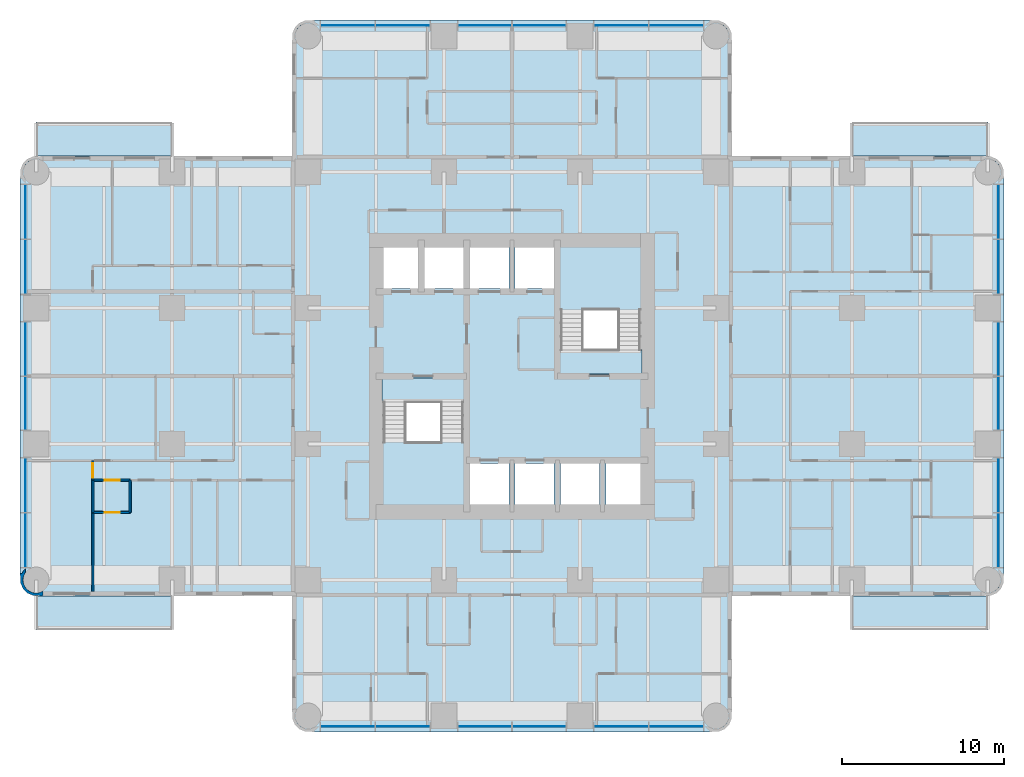
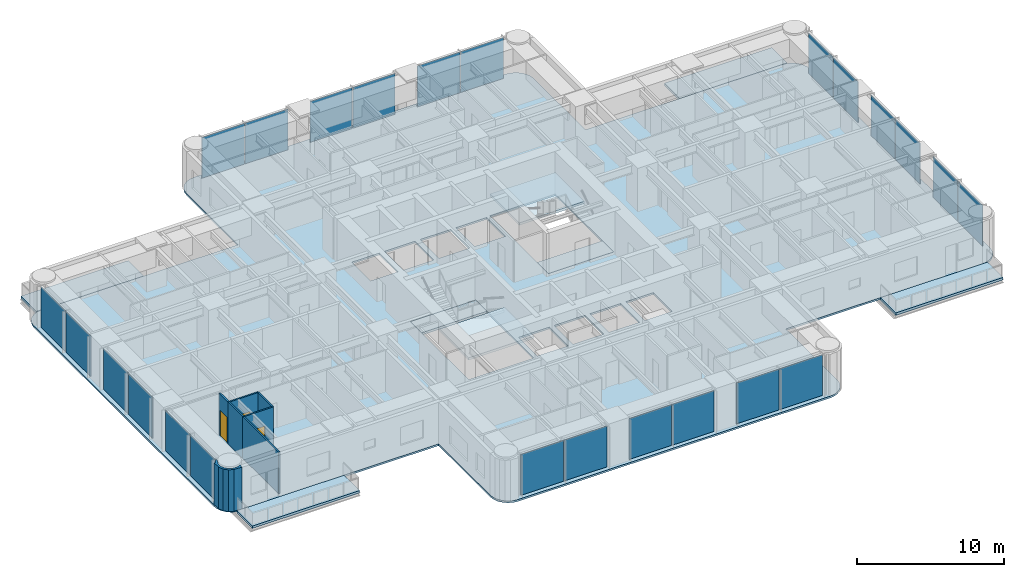
# One storey, part 5 of 15: 24 plates, 9 slabs, 7 walls, 3 doors, 3 openings, 6 elements without a shape of their own.
"""IFC4 building model written with IfcOpenShell, lengths in metres."""

from ifc_helpers import new_model, si_unit, direction, frame, frame_2d, origin, origin_2d, place, context, subcontext, project, spatial, polyline, rectangle, outline, extrude, material, layer, layer_set, type_object, element, fill, aggregate, save


model = new_model("IFC4")

# Units and contexts
model_context = context("Model", 3, precision=1e-05, world=origin(), true_north=direction((0.0, 1.0)))
body_context = subcontext(model_context, "Body", "Model", "MODEL_VIEW")
ifc_project = project(units=[si_unit("LENGTHUNIT", "METRE"), si_unit("AREAUNIT", "SQUARE_METRE"), si_unit("VOLUMEUNIT", "CUBIC_METRE"), si_unit("PLANEANGLEUNIT", "RADIAN"), si_unit("MASSUNIT", "GRAM", prefix="KILO")], contexts=[model_context])

# Site, building, storey
site_placement = place(None, origin())
site = spatial("IfcSite", under=ifc_project, at=site_placement, CompositionType="ELEMENT")
building_placement = place(site_placement, origin())
building = spatial("IfcBuilding", under=site, at=building_placement, Name="Torre Alcanfor", CompositionType="ELEMENT")
storey_placement = place(building_placement, frame((0.0, 0.0, 116.10009765625)))
storey = spatial("IfcBuildingStorey", under=building, at=storey_placement, Name="L29", CompositionType="ELEMENT", Elevation=116.10009765625)

# Slabs
ifc_material_1 = material(Name="Concrete f'c 35 MPa", Category="concrete")
ifc_layer_1 = layer(ifc_material_1, 0.199951171875)
ifc_layer_set_1 = layer_set([ifc_layer_1], Name="Balcony slab 200")
slab_type_1 = type_object("IfcSlabType", Name="Balcony slab 200", PredefinedType="FLOOR", material=ifc_layer_set_1)
slab_1_placement = place(storey_placement, frame((0.0, 0.0, -0.2001953125)))
element("IfcSlab", 1, at=slab_1_placement, inside=storey, type_object=slab_type_1, Name="Balcony L29-E1", PredefinedType="FLOOR", context=body_context, shape_type="SweptSolid", body=[
    extrude(outline(polyline([(50.39990234375, 43.0), (58.800048828125, 43.0), (58.800048828125, 45.10009765625), (50.39990234375, 45.10009765625), (50.39990234375, 43.0)])), origin(), (0.0, 0.0, 1.0), 0.2001953125),
])
slab_2_placement = place(storey_placement, frame((0.0, 0.0, -0.2001953125)))
element("IfcSlab", 2, at=slab_2_placement, inside=storey, type_object=slab_type_1, Name="Balcony L29-E2", PredefinedType="FLOOR", context=body_context, shape_type="SweptSolid", body=[
    extrude(outline(polyline([(50.39990234375, 13.699951171875), (58.800048828125, 13.699951171875), (58.800048828125, 15.800048828125), (50.39990234375, 15.800048828125), (50.39990234375, 13.699951171875)])), origin(), (0.0, 0.0, 1.0), 0.2001953125),
])
slab_3_placement = place(storey_placement, frame((0.0, 0.0, -0.2001953125)))
element("IfcSlab", 3, at=slab_3_placement, inside=storey, type_object=slab_type_1, Name="Balcony L29-W1", PredefinedType="FLOOR", context=body_context, shape_type="SweptSolid", body=[
    extrude(outline(polyline([(8.39990234375, 15.800048828125), (0.0, 15.800048828125), (0.0, 13.699951171875), (8.39990234375, 13.699951171875), (8.39990234375, 15.800048828125)])), origin(), (0.0, 0.0, 1.0), 0.2001953125),
])
slab_4_placement = place(storey_placement, frame((0.0, 0.0, -0.2001953125)))
element("IfcSlab", 4, at=slab_4_placement, inside=storey, type_object=slab_type_1, Name="Balcony L29-W2", PredefinedType="FLOOR", context=body_context, shape_type="SweptSolid", body=[
    extrude(outline(polyline([(8.39990234375, 45.10009765625), (0.0, 45.10009765625), (0.0, 43.0), (8.39990234375, 43.0), (8.39990234375, 45.10009765625)])), origin(), (0.0, 0.0, 1.0), 0.2001953125),
])

# Curtain wall, plates
ifc_material_2 = material(Name="Aluminium and glass", Category="aluminium")
curtain_wall_type = type_object("IfcCurtainWallType", Name="CW-A unitised apartment glazing with vertical FIN", PredefinedType="NOTDEFINED", material=ifc_material_2)
curtain_wall_1_placement = place(storey_placement, origin())
curtain_wall_1 = element("IfcCurtainWall", 5, at=curtain_wall_1_placement, inside=storey, type_object=curtain_wall_type, Name="Curtain wall CW-A L29 2", PredefinedType="NOTDEFINED")
ifc_material_3 = material(Name="Glass", Category="glass")
ifc_layer_2 = layer(ifc_material_3, 0.028076171875)
ifc_layer_set_2 = layer_set([ifc_layer_2], Name="CW-A clear double glazed unit")
plate_type = type_object("IfcPlateType", Name="CW-A clear double glazed unit", PredefinedType="CURTAIN_PANEL", material=ifc_layer_set_2)
plate_1_placement = place(storey_placement, frame((-0.64990234375, 39.541259765625, 0.0), z_axis=(0.0, 0.0, 1.0), x_axis=(0.0, -1.0, 0.0)))
plate_1 = element("IfcPlate", 6, at=plate_1_placement, type_object=plate_type, Name="CW-A panel 1.1.1", PredefinedType="CURTAIN_PANEL", context=body_context, shape_type="SweptSolid", body=[
    extrude(rectangle(XDim=3.337646484375, YDim=0.028076171875, at=origin_2d()), origin(), (0.0, 0.0, 1.0), 3.385009765625),
])
plate_2_placement = place(storey_placement, frame((-0.64990234375, 36.138671875, 0.0), z_axis=(0.0, 0.0, 1.0), x_axis=(0.0, -1.0, 0.0)))
plate_2 = element("IfcPlate", 7, at=plate_2_placement, type_object=plate_type, Name="CW-A panel 1.2.1", PredefinedType="CURTAIN_PANEL", context=body_context, shape_type="SweptSolid", body=[
    extrude(rectangle(XDim=3.337646484375, YDim=0.028076171875, at=origin_2d()), origin(), (0.0, 0.0, 1.0), 3.385009765625),
])
plate_3_placement = place(storey_placement, frame((-0.64990234375, 31.081298828125, 0.0), z_axis=(0.0, 0.0, 1.0), x_axis=(0.0, -1.0, 0.0)))
plate_3 = element("IfcPlate", 8, at=plate_3_placement, type_object=plate_type, Name="CW-A panel 2.1.1", PredefinedType="CURTAIN_PANEL", context=body_context, shape_type="SweptSolid", body=[
    extrude(rectangle(XDim=3.297607421875, YDim=0.028076171875, at=origin_2d()), origin(), (0.0, 0.0, 1.0), 3.385009765625),
])
plate_4_placement = place(storey_placement, frame((-0.64990234375, 27.71875, 0.0), z_axis=(0.0, 0.0, 1.0), x_axis=(0.0, -1.0, 0.0)))
plate_4 = element("IfcPlate", 9, at=plate_4_placement, type_object=plate_type, Name="CW-A panel 2.2.1", PredefinedType="CURTAIN_PANEL", context=body_context, shape_type="SweptSolid", body=[
    extrude(rectangle(XDim=3.297607421875, YDim=0.028076171875, at=origin_2d()), origin(), (0.0, 0.0, 1.0), 3.385009765625),
])
plate_5_placement = place(storey_placement, frame((-0.64990234375, 22.6611328125, 0.0), z_axis=(0.0, 0.0, 1.0), x_axis=(0.0, -1.0, 0.0)))
plate_5 = element("IfcPlate", 10, at=plate_5_placement, type_object=plate_type, Name="CW-A panel 3.1.1", PredefinedType="CURTAIN_PANEL", context=body_context, shape_type="SweptSolid", body=[
    extrude(rectangle(XDim=3.337646484375, YDim=0.028076171875, at=origin_2d()), origin(), (0.0, 0.0, 1.0), 3.385009765625),
])
plate_6_placement = place(storey_placement, frame((-0.64990234375, 19.2587890625, 0.0), z_axis=(0.0, 0.0, 1.0), x_axis=(0.0, -1.0, 0.0)))
plate_6 = element("IfcPlate", 11, at=plate_6_placement, type_object=plate_type, Name="CW-A panel 3.2.1", PredefinedType="CURTAIN_PANEL", context=body_context, shape_type="SweptSolid", body=[
    extrude(rectangle(XDim=3.337646484375, YDim=0.028076171875, at=origin_2d()), origin(), (0.0, 0.0, 1.0), 3.385009765625),
])
aggregate(curtain_wall_1, [plate_1, plate_2, plate_3, plate_4, plate_5, plate_6])

curtain_wall_2_placement = place(storey_placement, origin())
curtain_wall_2 = element("IfcCurtainWall", 12, at=curtain_wall_2_placement, inside=storey, type_object=curtain_wall_type, Name="Curtain wall CW-A L29 5", PredefinedType="NOTDEFINED")
plate_7_placement = place(storey_placement, frame((19.2587890625, 7.75, 0.0), z_axis=(0.0, 0.0, 1.0), x_axis=(1.0, 0.0, 0.0)))
plate_7 = element("IfcPlate", 13, at=plate_7_placement, type_object=plate_type, Name="CW-A panel 1.1.1", PredefinedType="CURTAIN_PANEL", context=body_context, shape_type="SweptSolid", body=[
    extrude(rectangle(XDim=3.337646484375, YDim=0.028076171875, at=origin_2d()), origin(), (0.0, 0.0, 1.0), 3.385009765625),
])
plate_8_placement = place(storey_placement, frame((22.6611328125, 7.75, 0.0), z_axis=(0.0, 0.0, 1.0), x_axis=(1.0, 0.0, 0.0)))
plate_8 = element("IfcPlate", 14, at=plate_8_placement, type_object=plate_type, Name="CW-A panel 1.2.1", PredefinedType="CURTAIN_PANEL", context=body_context, shape_type="SweptSolid", body=[
    extrude(rectangle(XDim=3.337646484375, YDim=0.028076171875, at=origin_2d()), origin(), (0.0, 0.0, 1.0), 3.385009765625),
])
plate_9_placement = place(storey_placement, frame((27.71875, 7.75, 0.0), z_axis=(0.0, 0.0, 1.0), x_axis=(1.0, 0.0, 0.0)))
plate_9 = element("IfcPlate", 15, at=plate_9_placement, type_object=plate_type, Name="CW-A panel 2.1.1", PredefinedType="CURTAIN_PANEL", context=body_context, shape_type="SweptSolid", body=[
    extrude(rectangle(XDim=3.297607421875, YDim=0.028076171875, at=origin_2d()), origin(), (0.0, 0.0, 1.0), 3.385009765625),
])
plate_10_placement = place(storey_placement, frame((31.081298828125, 7.75, 0.0), z_axis=(0.0, 0.0, 1.0), x_axis=(1.0, 0.0, 0.0)))
plate_10 = element("IfcPlate", 16, at=plate_10_placement, type_object=plate_type, Name="CW-A panel 2.2.1", PredefinedType="CURTAIN_PANEL", context=body_context, shape_type="SweptSolid", body=[
    extrude(rectangle(XDim=3.297607421875, YDim=0.028076171875, at=origin_2d()), origin(), (0.0, 0.0, 1.0), 3.385009765625),
])
plate_11_placement = place(storey_placement, frame((36.138671875, 7.75, 0.0), z_axis=(0.0, 0.0, 1.0), x_axis=(1.0, 0.0, 0.0)))
plate_11 = element("IfcPlate", 17, at=plate_11_placement, type_object=plate_type, Name="CW-A panel 3.1.1", PredefinedType="CURTAIN_PANEL", context=body_context, shape_type="SweptSolid", body=[
    extrude(rectangle(XDim=3.337646484375, YDim=0.028076171875, at=origin_2d()), origin(), (0.0, 0.0, 1.0), 3.385009765625),
])
plate_12_placement = place(storey_placement, frame((39.541259765625, 7.75, 0.0), z_axis=(0.0, 0.0, 1.0), x_axis=(1.0, 0.0, 0.0)))
plate_12 = element("IfcPlate", 18, at=plate_12_placement, type_object=plate_type, Name="CW-A panel 3.2.1", PredefinedType="CURTAIN_PANEL", context=body_context, shape_type="SweptSolid", body=[
    extrude(rectangle(XDim=3.337646484375, YDim=0.028076171875, at=origin_2d()), origin(), (0.0, 0.0, 1.0), 3.385009765625),
])
aggregate(curtain_wall_2, [plate_7, plate_8, plate_9, plate_10, plate_11, plate_12])

curtain_wall_3_placement = place(storey_placement, origin())
curtain_wall_3 = element("IfcCurtainWall", 19, at=curtain_wall_3_placement, inside=storey, type_object=curtain_wall_type, Name="Curtain wall CW-A L29 8", PredefinedType="NOTDEFINED")
plate_13_placement = place(storey_placement, frame((59.449951171875, 19.2587890625, 0.0), z_axis=(0.0, 0.0, 1.0), x_axis=(0.0, 1.0, 0.0)))
plate_13 = element("IfcPlate", 20, at=plate_13_placement, type_object=plate_type, Name="CW-A panel 1.1.1", PredefinedType="CURTAIN_PANEL", context=body_context, shape_type="SweptSolid", body=[
    extrude(rectangle(XDim=3.337646484375, YDim=0.028076171875, at=origin_2d()), origin(), (0.0, 0.0, 1.0), 3.385009765625),
])
plate_14_placement = place(storey_placement, frame((59.449951171875, 22.6611328125, 0.0), z_axis=(0.0, 0.0, 1.0), x_axis=(0.0, 1.0, 0.0)))
plate_14 = element("IfcPlate", 21, at=plate_14_placement, type_object=plate_type, Name="CW-A panel 1.2.1", PredefinedType="CURTAIN_PANEL", context=body_context, shape_type="SweptSolid", body=[
    extrude(rectangle(XDim=3.337646484375, YDim=0.028076171875, at=origin_2d()), origin(), (0.0, 0.0, 1.0), 3.385009765625),
])
plate_15_placement = place(storey_placement, frame((59.449951171875, 27.71875, 0.0), z_axis=(0.0, 0.0, 1.0), x_axis=(0.0, 1.0, 0.0)))
plate_15 = element("IfcPlate", 22, at=plate_15_placement, type_object=plate_type, Name="CW-A panel 2.1.1", PredefinedType="CURTAIN_PANEL", context=body_context, shape_type="SweptSolid", body=[
    extrude(rectangle(XDim=3.297607421875, YDim=0.028076171875, at=origin_2d()), origin(), (0.0, 0.0, 1.0), 3.385009765625),
])
plate_16_placement = place(storey_placement, frame((59.449951171875, 31.081298828125, 0.0), z_axis=(0.0, 0.0, 1.0), x_axis=(0.0, 1.0, 0.0)))
plate_16 = element("IfcPlate", 23, at=plate_16_placement, type_object=plate_type, Name="CW-A panel 2.2.1", PredefinedType="CURTAIN_PANEL", context=body_context, shape_type="SweptSolid", body=[
    extrude(rectangle(XDim=3.297607421875, YDim=0.028076171875, at=origin_2d()), origin(), (0.0, 0.0, 1.0), 3.385009765625),
])
plate_17_placement = place(storey_placement, frame((59.449951171875, 36.138671875, 0.0), z_axis=(0.0, 0.0, 1.0), x_axis=(0.0, 1.0, 0.0)))
plate_17 = element("IfcPlate", 24, at=plate_17_placement, type_object=plate_type, Name="CW-A panel 3.1.1", PredefinedType="CURTAIN_PANEL", context=body_context, shape_type="SweptSolid", body=[
    extrude(rectangle(XDim=3.337646484375, YDim=0.028076171875, at=origin_2d()), origin(), (0.0, 0.0, 1.0), 3.385009765625),
])
plate_18_placement = place(storey_placement, frame((59.449951171875, 39.541259765625, 0.0), z_axis=(0.0, 0.0, 1.0), x_axis=(0.0, 1.0, 0.0)))
plate_18 = element("IfcPlate", 25, at=plate_18_placement, type_object=plate_type, Name="CW-A panel 3.2.1", PredefinedType="CURTAIN_PANEL", context=body_context, shape_type="SweptSolid", body=[
    extrude(rectangle(XDim=3.337646484375, YDim=0.028076171875, at=origin_2d()), origin(), (0.0, 0.0, 1.0), 3.385009765625),
])
aggregate(curtain_wall_3, [plate_13, plate_14, plate_15, plate_16, plate_17, plate_18])

curtain_wall_4_placement = place(storey_placement, origin())
curtain_wall_4 = element("IfcCurtainWall", 26, at=curtain_wall_4_placement, inside=storey, type_object=curtain_wall_type, Name="Curtain wall CW-A L29 11", PredefinedType="NOTDEFINED")
plate_19_placement = place(storey_placement, frame((39.541259765625, 51.050048828125, 0.0), z_axis=(0.0, 0.0, 1.0), x_axis=(-1.0, 0.0, 0.0)))
plate_19 = element("IfcPlate", 27, at=plate_19_placement, type_object=plate_type, Name="CW-A panel 1.1.1", PredefinedType="CURTAIN_PANEL", context=body_context, shape_type="SweptSolid", body=[
    extrude(rectangle(XDim=3.337646484375, YDim=0.028076171875, at=origin_2d()), origin(), (0.0, 0.0, 1.0), 3.385009765625),
])
plate_20_placement = place(storey_placement, frame((36.138671875, 51.050048828125, 0.0), z_axis=(0.0, 0.0, 1.0), x_axis=(-1.0, 0.0, 0.0)))
plate_20 = element("IfcPlate", 28, at=plate_20_placement, type_object=plate_type, Name="CW-A panel 1.2.1", PredefinedType="CURTAIN_PANEL", context=body_context, shape_type="SweptSolid", body=[
    extrude(rectangle(XDim=3.337646484375, YDim=0.028076171875, at=origin_2d()), origin(), (0.0, 0.0, 1.0), 3.385009765625),
])
plate_21_placement = place(storey_placement, frame((31.081298828125, 51.050048828125, 0.0), z_axis=(0.0, 0.0, 1.0), x_axis=(-1.0, 0.0, 0.0)))
plate_21 = element("IfcPlate", 29, at=plate_21_placement, type_object=plate_type, Name="CW-A panel 2.1.1", PredefinedType="CURTAIN_PANEL", context=body_context, shape_type="SweptSolid", body=[
    extrude(rectangle(XDim=3.297607421875, YDim=0.028076171875, at=origin_2d()), origin(), (0.0, 0.0, 1.0), 3.385009765625),
])
plate_22_placement = place(storey_placement, frame((27.71875, 51.050048828125, 0.0), z_axis=(0.0, 0.0, 1.0), x_axis=(-1.0, 0.0, 0.0)))
plate_22 = element("IfcPlate", 30, at=plate_22_placement, type_object=plate_type, Name="CW-A panel 2.2.1", PredefinedType="CURTAIN_PANEL", context=body_context, shape_type="SweptSolid", body=[
    extrude(rectangle(XDim=3.297607421875, YDim=0.028076171875, at=origin_2d()), origin(), (0.0, 0.0, 1.0), 3.385009765625),
])
plate_23_placement = place(storey_placement, frame((22.6611328125, 51.050048828125, 0.0), z_axis=(0.0, 0.0, 1.0), x_axis=(-1.0, 0.0, 0.0)))
plate_23 = element("IfcPlate", 31, at=plate_23_placement, type_object=plate_type, Name="CW-A panel 3.1.1", PredefinedType="CURTAIN_PANEL", context=body_context, shape_type="SweptSolid", body=[
    extrude(rectangle(XDim=3.337646484375, YDim=0.028076171875, at=origin_2d()), origin(), (0.0, 0.0, 1.0), 3.385009765625),
])
plate_24_placement = place(storey_placement, frame((19.2587890625, 51.050048828125, 0.0), z_axis=(0.0, 0.0, 1.0), x_axis=(-1.0, 0.0, 0.0)))
plate_24 = element("IfcPlate", 32, at=plate_24_placement, type_object=plate_type, Name="CW-A panel 3.2.1", PredefinedType="CURTAIN_PANEL", context=body_context, shape_type="SweptSolid", body=[
    extrude(rectangle(XDim=3.337646484375, YDim=0.028076171875, at=origin_2d()), origin(), (0.0, 0.0, 1.0), 3.385009765625),
])
aggregate(curtain_wall_4, [plate_19, plate_20, plate_21, plate_22, plate_23, plate_24])

# Slab
ifc_material_4 = material(Name="Concrete f'c 35 MPa", Category="concrete")
ifc_layer_3 = layer(ifc_material_4, 0.14990234375)
ifc_layer_set_3 = layer_set([ifc_layer_3], Name="Composite floor 150 on metal deck")
slab_type_2 = type_object("IfcSlabType", Name="Composite floor 150 on metal deck", PredefinedType="FLOOR", material=ifc_layer_set_3)
slab_5_placement = place(storey_placement, frame((0.0, 0.0, -0.150146484375)))
element("IfcSlab", 33, at=slab_5_placement, inside=storey, type_object=slab_type_2, Name="Floor slab L29", PredefinedType="FLOOR", context=body_context, shape_type="SweptSolid", body=[
    extrude(outline(polyline([(15.800048828125, 43.0), (0.39990234375, 43.0), (0.03759765625, 42.952392578125), (-0.300048828125, 42.8125), (-0.58984375, 42.58984375), (-0.8125, 42.300048828125), (-0.952392578125, 41.96240234375), (-1.0, 41.60009765625), (-1.0, 17.199951171875), (-0.952392578125, 16.837646484375), (-0.8125, 16.5), (-0.58984375, 16.210205078125), (-0.300048828125, 15.987548828125), (0.03759765625, 15.84765625), (0.39990234375, 15.800048828125), (15.800048828125, 15.800048828125), (15.800048828125, 8.800048828125), (15.84765625, 8.437744140625), (15.987548828125, 8.10009765625), (16.210205078125, 7.81005859375), (16.5, 7.587646484375), (16.837646484375, 7.44775390625), (17.199951171875, 7.39990234375), (41.60009765625, 7.39990234375), (41.96240234375, 7.44775390625), (42.300048828125, 7.587646484375), (42.58984375, 7.81005859375), (42.8125, 8.10009765625), (42.952392578125, 8.437744140625), (43.0, 8.800048828125), (43.0, 15.800048828125), (58.39990234375, 15.800048828125), (58.76220703125, 15.84765625), (59.10009765625, 15.987548828125), (59.389892578125, 16.210205078125), (59.6123046875, 16.5), (59.752197265625, 16.837646484375), (59.800048828125, 17.199951171875), (59.800048828125, 41.60009765625), (59.752197265625, 41.96240234375), (59.6123046875, 42.300048828125), (59.389892578125, 42.58984375), (59.10009765625, 42.8125), (58.76220703125, 42.952392578125), (58.39990234375, 43.0), (43.0, 43.0), (43.0, 50.0), (42.952392578125, 50.3623046875), (42.8125, 50.699951171875), (42.58984375, 50.989990234375), (42.300048828125, 51.21240234375), (41.96240234375, 51.352294921875), (41.60009765625, 51.39990234375), (17.199951171875, 51.39990234375), (16.837646484375, 51.352294921875), (16.5, 51.21240234375), (16.210205078125, 50.989990234375), (15.987548828125, 50.699951171875), (15.84765625, 50.3623046875), (15.800048828125, 50.0), (15.800048828125, 43.0)]), holes=[polyline([(21.3701171875, 21.3701171875), (26.47998046875, 21.3701171875), (26.47998046875, 29.280029296875), (21.3701171875, 29.280029296875), (21.3701171875, 21.3701171875)]), polyline([(32.320068359375, 29.52001953125), (37.429931640625, 29.52001953125), (37.429931640625, 37.429931640625), (32.320068359375, 37.429931640625), (32.320068359375, 29.52001953125)]), polyline([(26.800048828125, 21.449951171875), (29.199951171875, 21.449951171875), (29.199951171875, 24.0), (26.800048828125, 24.0), (26.800048828125, 21.449951171875)]), polyline([(29.60009765625, 21.449951171875), (32.0, 21.449951171875), (32.0, 24.0), (29.60009765625, 24.0), (29.60009765625, 21.449951171875)]), polyline([(32.39990234375, 21.449951171875), (34.800048828125, 21.449951171875), (34.800048828125, 24.0), (32.39990234375, 24.0), (32.39990234375, 21.449951171875)]), polyline([(35.199951171875, 21.449951171875), (37.35009765625, 21.449951171875), (37.35009765625, 24.0), (35.199951171875, 24.0), (35.199951171875, 21.449951171875)]), polyline([(21.449951171875, 34.800048828125), (23.60009765625, 34.800048828125), (23.60009765625, 37.35009765625), (21.449951171875, 37.35009765625), (21.449951171875, 34.800048828125)]), polyline([(24.0, 34.800048828125), (26.39990234375, 34.800048828125), (26.39990234375, 37.35009765625), (24.0, 37.35009765625), (24.0, 34.800048828125)]), polyline([(26.800048828125, 34.800048828125), (29.199951171875, 34.800048828125), (29.199951171875, 37.35009765625), (26.800048828125, 37.35009765625), (26.800048828125, 34.800048828125)]), polyline([(29.60009765625, 34.800048828125), (32.0, 34.800048828125), (32.0, 37.35009765625), (29.60009765625, 37.35009765625), (29.60009765625, 34.800048828125)])]), origin(), (0.0, 0.0, 1.0), 0.150146484375),
])

# Stair, slabs
ifc_material_5 = material(Name="Concrete f'c 35 MPa", Category="concrete")
stair_type_1 = type_object("IfcStairType", Name="Exit stair S1 1400 wide", PredefinedType="HALF_TURN_STAIR", material=ifc_material_5)
stair_1_placement = place(storey_placement, origin())
stair_1 = element("IfcStair", 34, at=stair_1_placement, inside=storey, type_object=stair_type_1, Name="Stair S1 L29 to L30", PredefinedType="HALF_TURN_STAIR")
ifc_material_6 = material(Name="Concrete f'c 35 MPa", Category="concrete")
ifc_layer_4 = layer(ifc_material_6, 0.199951171875)
ifc_layer_set_4 = layer_set([ifc_layer_4], Name="Stair landing 200")
slab_type_3 = type_object("IfcSlabType", Name="Stair landing 200", PredefinedType="LANDING", material=ifc_layer_set_4)
slab_6_placement = place(storey_placement, frame((0.0, 0.0, -0.2001953125)))
slab_6 = element("IfcSlab", 35, at=slab_6_placement, type_object=slab_type_3, Name="S1 landing 1", PredefinedType="LANDING", context=body_context, shape_type="SweptSolid", body=[
    extrude(outline(polyline([(21.3701171875, 27.75), (26.47998046875, 27.75), (26.47998046875, 29.280029296875), (21.3701171875, 29.280029296875), (21.3701171875, 27.75)])), origin(), (0.0, 0.0, 1.0), 0.2001953125),
])
slab_7_placement = place(storey_placement, frame((0.0, 0.0, 1.599853515625)))
slab_7 = element("IfcSlab", 36, at=slab_7_placement, type_object=slab_type_3, Name="S1 landing 2", PredefinedType="LANDING", context=body_context, shape_type="SweptSolid", body=[
    extrude(outline(polyline([(21.3701171875, 21.3701171875), (26.47998046875, 21.3701171875), (26.47998046875, 25.330078125), (21.3701171875, 25.330078125), (21.3701171875, 21.3701171875)])), origin(), (0.0, 0.0, 1.0), 0.199951171875),
])
aggregate(stair_1, [slab_6, slab_7])

ifc_material_7 = material(Name="Concrete f'c 35 MPa", Category="concrete")
stair_type_2 = type_object("IfcStairType", Name="Exit stair S2 1400 wide", PredefinedType="HALF_TURN_STAIR", material=ifc_material_7)
stair_2_placement = place(storey_placement, origin())
stair_2 = element("IfcStair", 37, at=stair_2_placement, inside=storey, type_object=stair_type_2, Name="Stair S2 L29 to L30", PredefinedType="HALF_TURN_STAIR")
slab_8_placement = place(storey_placement, frame((0.0, 0.0, -0.2001953125)))
slab_8 = element("IfcSlab", 38, at=slab_8_placement, type_object=slab_type_3, Name="S2 landing 1", PredefinedType="LANDING", context=body_context, shape_type="SweptSolid", body=[
    extrude(outline(polyline([(32.320068359375, 29.52001953125), (37.429931640625, 29.52001953125), (37.429931640625, 31.050048828125), (32.320068359375, 31.050048828125), (32.320068359375, 29.52001953125)])), origin(), (0.0, 0.0, 1.0), 0.2001953125),
])
slab_9_placement = place(storey_placement, frame((0.0, 0.0, 1.599853515625)))
slab_9 = element("IfcSlab", 39, at=slab_9_placement, type_object=slab_type_3, Name="S2 landing 2", PredefinedType="LANDING", context=body_context, shape_type="SweptSolid", body=[
    extrude(outline(polyline([(32.320068359375, 33.469970703125), (37.429931640625, 33.469970703125), (37.429931640625, 37.429931640625), (32.320068359375, 37.429931640625), (32.320068359375, 33.469970703125)])), origin(), (0.0, 0.0, 1.0), 0.199951171875),
])
aggregate(stair_2, [slab_8, slab_9])

# Wall, opening, door
ifc_material_8 = material(Name="Gypsum board on steel studs", Category="steel")
ifc_layer_5 = layer(ifc_material_8, 0.1201171875)
ifc_layer_set_5 = layer_set([ifc_layer_5], Name="Apartment partition 120")
wall_type_1 = type_object("IfcWallType", Name="Apartment partition 120", PredefinedType="PARTITIONING", material=ifc_layer_set_5)
wall_1_placement = place(storey_placement, frame((3.5, 22.970947265625, 0.0), z_axis=(0.0, 0.0, 1.0), x_axis=(1.0, 0.0, 0.0)))
wall_1 = element("IfcWall", 40, at=wall_1_placement, inside=storey, type_object=wall_type_1, Name="Partition L29-W1-HALL / L29-W1-VEST", PredefinedType="PARTITIONING", context=body_context, shape_type="SweptSolid", body=[
    extrude(rectangle(XDim=2.300048828125, YDim=0.1201171875, at=frame_2d((1.14990234375, 0.0))), origin(), (0.0, 0.0, 1.0), 3.449951171875),
])
opening_1_placement = place(wall_1_placement, frame((0.75, 0.0, 0.0)))
opening_1 = element("IfcOpeningElement", 41, at=opening_1_placement, cuts=wall_1, Name="Opening D-R1", PredefinedType="OPENING", context=body_context, shape_type="SweptSolid", body=[
    extrude(rectangle(XDim=0.89990234375, YDim=2.10009765625, at=frame_2d((0.449951171875, 1.050048828125))), frame((0.0, 0.070068359375, 0.0), z_axis=(0.0, -1.0, 0.0), x_axis=(1.0, 0.0, 0.0)), (0.0, 0.0, 1.0), 0.14013671875),
])
ifc_material_9 = material(Name="Timber", Category="wood")
door_type = type_object("IfcDoorType", Name="Internal door 900x2100", OperationType="SINGLE_SWING_LEFT", PredefinedType="DOOR", material=ifc_material_9)
door_1_placement = place(opening_1_placement, frame((0.89990234375, 0.0, 0.0), z_axis=(0.0, 0.0, 1.0), x_axis=(-1.0, 0.0, 0.0)))
door_1 = element("IfcDoor", 42, at=door_1_placement, inside=storey, type_object=door_type, Name="Door L29-W1 vest", OperationType="SINGLE_SWING_LEFT", OverallHeight=2.10009765625, OverallWidth=0.89990234375, PredefinedType="DOOR", context=body_context, shape_type="SweptSolid", body=[
    extrude(rectangle(XDim=0.89990234375, YDim=2.10009765625, at=frame_2d((0.449951171875, 1.050048828125))), frame((0.0, 0.025146484375, 0.0), z_axis=(0.0, -1.0, 0.0), x_axis=(1.0, 0.0, 0.0)), (0.0, 0.0, 1.0), 0.050048828125),
])
fill(opening_1, door_1)

wall_2_placement = place(storey_placement, frame((3.5, 24.1708984375, 0.0), z_axis=(0.0, 0.0, 1.0), x_axis=(0.0, -1.0, 0.0)))
wall_2 = element("IfcWall", 43, at=wall_2_placement, inside=storey, type_object=wall_type_1, Name="Partition L29-W1-HALL / L29-W1-WGARD", PredefinedType="PARTITIONING", context=body_context, shape_type="SweptSolid", body=[
    extrude(rectangle(XDim=1.199951171875, YDim=0.1201171875, at=frame_2d((0.60009765625, 0.0))), origin(), (0.0, 0.0, 1.0), 3.449951171875),
])
opening_2_placement = place(wall_2_placement, frame((0.15087890625, 0.0, 0.0)))
opening_2 = element("IfcOpeningElement", 44, at=opening_2_placement, cuts=wall_2, Name="Opening D-R1", PredefinedType="OPENING", context=body_context, shape_type="SweptSolid", body=[
    extrude(rectangle(XDim=0.89990234375, YDim=2.10009765625, at=frame_2d((0.449951171875, 1.050048828125))), frame((0.0, 0.070068359375, 0.0), z_axis=(0.0, -1.0, 0.0), x_axis=(1.0, 0.0, 0.0)), (0.0, 0.0, 1.0), 0.14013671875),
])
door_2_placement = place(opening_2_placement, frame((0.89990234375, 0.0, 0.0), z_axis=(0.0, 0.0, 1.0), x_axis=(-1.0, 0.0, 0.0)))
door_2 = element("IfcDoor", 45, at=door_2_placement, inside=storey, type_object=door_type, Name="Door L29-W1 wgard", OperationType="SINGLE_SWING_RIGHT", OverallHeight=2.10009765625, OverallWidth=0.89990234375, PredefinedType="DOOR", context=body_context, shape_type="SweptSolid", body=[
    extrude(rectangle(XDim=0.89990234375, YDim=2.10009765625, at=frame_2d((0.449951171875, 1.050048828125))), frame((0.0, 0.025146484375, 0.0), z_axis=(0.0, -1.0, 0.0), x_axis=(1.0, 0.0, 0.0)), (0.0, 0.0, 1.0), 0.050048828125),
])
fill(opening_2, door_2)

wall_3_placement = place(storey_placement, frame((3.5, 20.970947265625, 0.0), z_axis=(0.0, 0.0, 1.0), x_axis=(1.0, 0.0, 0.0)))
wall_3 = element("IfcWall", 46, at=wall_3_placement, inside=storey, type_object=wall_type_1, Name="Partition L29-W1-MASTER / L29-W1-VEST", PredefinedType="PARTITIONING", context=body_context, shape_type="SweptSolid", body=[
    extrude(rectangle(XDim=2.300048828125, YDim=0.1201171875, at=frame_2d((1.14990234375, 0.0))), origin(), (0.0, 0.0, 1.0), 3.449951171875),
])
opening_3_placement = place(wall_3_placement, frame((0.75, 0.0, 0.0)))
opening_3 = element("IfcOpeningElement", 47, at=opening_3_placement, cuts=wall_3, Name="Opening D-R1", PredefinedType="OPENING", context=body_context, shape_type="SweptSolid", body=[
    extrude(rectangle(XDim=0.89990234375, YDim=2.10009765625, at=frame_2d((0.449951171875, 1.050048828125))), frame((0.0, 0.070068359375, 0.0), z_axis=(0.0, -1.0, 0.0), x_axis=(1.0, 0.0, 0.0)), (0.0, 0.0, 1.0), 0.14013671875),
])
door_3_placement = place(opening_3_placement, origin())
door_3 = element("IfcDoor", 48, at=door_3_placement, inside=storey, type_object=door_type, Name="Door L29-W1 master", OperationType="SINGLE_SWING_RIGHT", OverallHeight=2.10009765625, OverallWidth=0.89990234375, PredefinedType="DOOR", context=body_context, shape_type="SweptSolid", body=[
    extrude(rectangle(XDim=0.89990234375, YDim=2.10009765625, at=frame_2d((0.449951171875, 1.050048828125))), frame((0.0, 0.02490234375, 0.0), z_axis=(0.0, -1.0, 0.0), x_axis=(1.0, 0.0, 0.0)), (0.0, 0.0, 1.0), 0.050048828125),
])
fill(opening_3, door_3)

# Walls
wall_4_placement = place(storey_placement, frame((5.800048828125, 20.970947265625, 0.0), z_axis=(0.0, 0.0, 1.0), x_axis=(0.0, 1.0, 0.0)))
element("IfcWall", 49, at=wall_4_placement, inside=storey, type_object=wall_type_1, Name="Partition L29-W1-MASTER / L29-W1-VEST", PredefinedType="PARTITIONING", context=body_context, shape_type="SweptSolid", body=[
    extrude(rectangle(XDim=2.0, YDim=0.1201171875, at=frame_2d((1.0, 0.0))), origin(), (0.0, 0.0, 1.0), 3.449951171875),
])
wall_5_placement = place(storey_placement, frame((3.5, 16.10009765625, 0.0), z_axis=(0.0, 0.0, 1.0), x_axis=(0.0, 1.0, 0.0)))
element("IfcWall", 50, at=wall_5_placement, inside=storey, type_object=wall_type_1, Name="Partition L29-W1-MASTER / L29-W1-WGARD", PredefinedType="PARTITIONING", context=body_context, shape_type="SweptSolid", body=[
    extrude(rectangle(XDim=4.870849609375, YDim=0.1201171875, at=frame_2d((2.435546875, 0.0))), origin(), (0.0, 0.0, 1.0), 3.449951171875),
])
wall_6_placement = place(storey_placement, frame((3.5, 22.970947265625, 0.0), z_axis=(0.0, 0.0, 1.0), x_axis=(0.0, -1.0, 0.0)))
element("IfcWall", 51, at=wall_6_placement, inside=storey, type_object=wall_type_1, Name="Partition L29-W1-VEST / L29-W1-WGARD", PredefinedType="PARTITIONING", context=body_context, shape_type="SweptSolid", body=[
    extrude(rectangle(XDim=2.0, YDim=0.1201171875, at=frame_2d((1.0, 0.0))), origin(), (0.0, 0.0, 1.0), 3.449951171875),
])
ifc_material_10 = material(Name="Limestone cladding", Category="masonry")
ifc_layer_6 = layer(ifc_material_10, 0.0400390625, Name="Facing")
ifc_material_11 = material(Name="Ventilated air cavity")
ifc_layer_7 = layer(ifc_material_11, 0.02001953125, ventilated=True, Name="Ventilated joint")
ifc_material_12 = material(Name="Mineral wool insulation", Category="insulation")
ifc_layer_8 = layer(ifc_material_12, 0.10009765625, Name="Insulation")
ifc_material_13 = material(Name="Concrete f'c 35 MPa", Category="concrete")
ifc_layer_9 = layer(ifc_material_13, 0.139892578125, Name="Backing")
ifc_layer_set_6 = layer_set([ifc_layer_6, ifc_layer_7, ifc_layer_8, ifc_layer_9], Name="Rounded corner pier stone-clad 300")
wall_type_2 = type_object("IfcWallType", Name="Rounded corner pier stone-clad 300", PredefinedType="SOLIDWALL", material=ifc_layer_set_6)
wall_7_placement = place(storey_placement, frame((-0.595317512, 17.448071802, 0.0), z_axis=(0.0, 0.0, 1.0), x_axis=(-0.93923434088, -0.343276641956, 0.0)))
element("IfcWall", 52, at=wall_7_placement, inside=storey, type_object=wall_type_2, Name="Corner pier L29 14", PredefinedType="SOLIDWALL", context=body_context, shape_type="SweptSolid", body=[
    extrude(outline(polyline([(-0.36901687290747565, 1.8895155017116005), (-0.5091640790076659, 1.6212761977701722), (-0.4905903530283585, 1.6144877680830545), (-0.47948243923657013, 1.6086084348003613), (-0.21122522327048593, 1.6199972505432854), (0.08778883447046232, 1.5107119133580826), (0.3225108976454373, 1.2952164137736593), (0.4570343816413681, 1.0061292766156664), (0.470385530542732, 0.6877670550734887), (0.36101638558361415, 0.38852369207353665), (0.14552088599919094, 0.15380162889856172), (0.10803112982284666, 0.13657123594691412), (0.030844170047101382, -0.07461890759558078), (0.24094301513563465, 0.023009904898978376), (0.3335722649355225, 0.12354205241220817), (0.46526570659148436, 0.09412537095504334), (0.5319165148651629, 0.3931255880778293), (0.6305582647631567, 0.6630178779252955), (0.6143066479271062, 1.0445648337608835), (0.4533864294189357, 1.390867848169107), (0.172157378959642, 1.6490946263605986), (-0.09750560562882049, 1.747652568484677), (-0.36901687290747565, 1.8895155017116005)])), origin(), (0.0, 0.0, 1.0), 3.449951171875),
])

save(model, "model.ifc")
